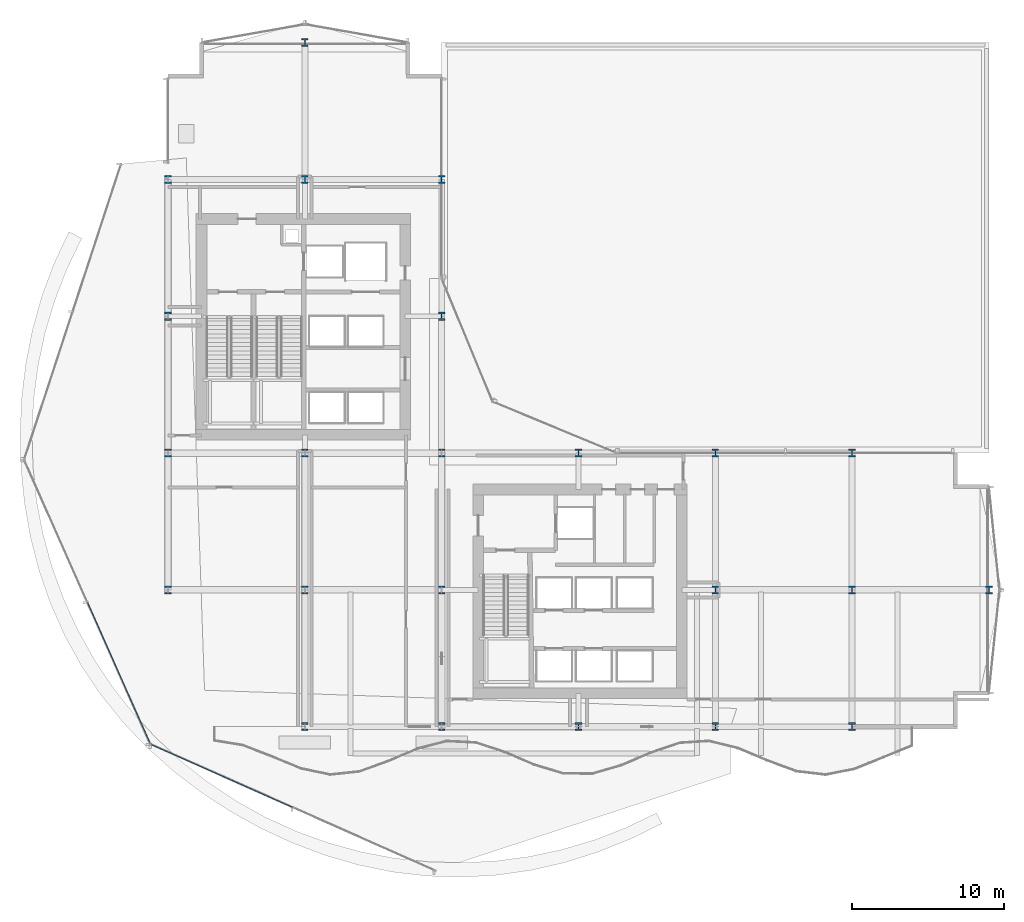
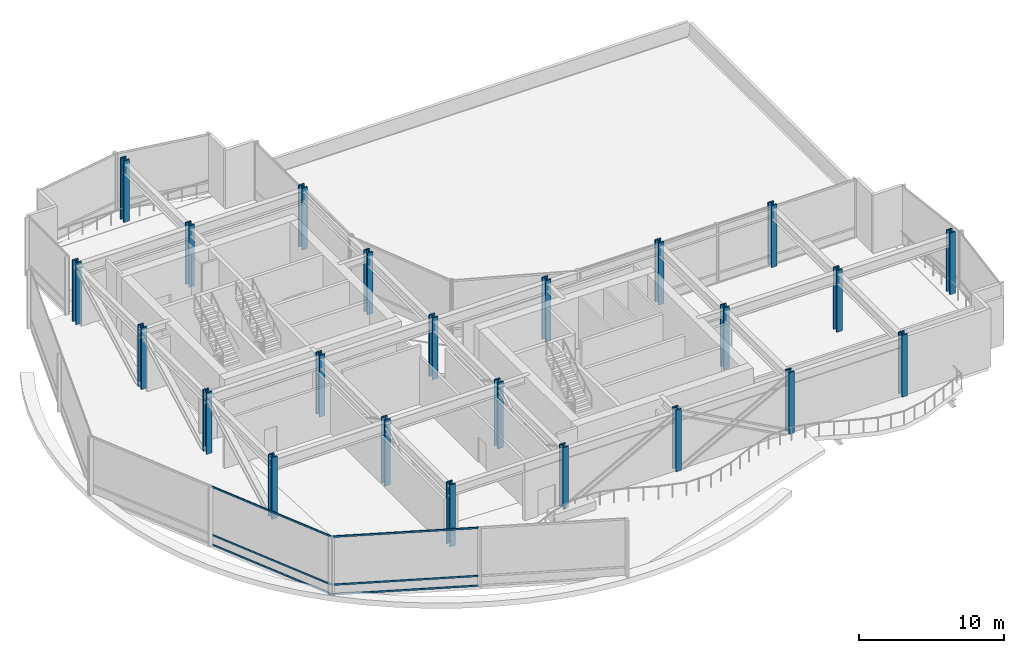
# One storey, part 1 of 37: 23 columns, 6 members, 2 elements without a shape of their own.
"""IFC4 building model written with IfcOpenShell, lengths in metres."""

from ifc_helpers import new_model, si_unit, direction, frame, origin, origin_2d, place, context, subcontext, project, spatial, hollow_rectangle, i_section, extrude, material, layer, layer_set, material_profile, profile_set, type_object, element, aggregate, save


model = new_model("IFC4")

# Units and contexts
model_context = context("Model", 3, precision=1e-05, world=origin(), true_north=direction((0.0, 1.0)))
body_context = subcontext(model_context, "Body", "Model", "MODEL_VIEW")
ifc_project = project(units=[si_unit("LENGTHUNIT", "METRE"), si_unit("AREAUNIT", "SQUARE_METRE"), si_unit("VOLUMEUNIT", "CUBIC_METRE"), si_unit("PLANEANGLEUNIT", "RADIAN"), si_unit("MASSUNIT", "GRAM", prefix="KILO")], contexts=[model_context])

# Site, building, storey
site_placement = place(None, origin())
site = spatial("IfcSite", under=ifc_project, at=site_placement, CompositionType="ELEMENT")
building_placement = place(site_placement, origin())
building = spatial("IfcBuilding", under=site, at=building_placement, Name="Solvaryn Broadcast Tower", CompositionType="ELEMENT")
storey_placement = place(building_placement, frame((0.0, 0.0, 30.800048828125)))
storey = spatial("IfcBuildingStorey", under=building, at=storey_placement, Name="L06", CompositionType="ELEMENT", Elevation=30.800048828125)

# Columns
ifc_material_1 = material(Name="Steel ASTM A913 Grade 65", Category="steel")
ifc_material_profile_1 = material_profile(ifc_material_1, i_section(OverallWidth=0.44189453125, OverallDepth=0.531005859375, WebThickness=0.06591796875, FlangeThickness=0.105712890625, FilletRadius=0.014892578125, at=origin_2d()))
ifc_profile_set_1 = profile_set([ifc_material_profile_1], Name="Steel ASTM A913 Grade 65")
column_type_1 = type_object("IfcColumnType", Name="COL-C02E-W14X605", PredefinedType="COLUMN", material=ifc_profile_set_1)
for number, where, z_axis, x_axis, name in (
    (1, (9.0, 18.0, 0.0), (0.0, 0.0, 1.0), (1.0, 0.0, 0.0), "L06 Column (9.0, 18.0)"),
    (2, (9.0, 27.0, 0.0), (0.0, 0.0, 1.0), (1.0, 0.0, 0.0), "L06 Column (9.0, 27.0)"),
    (3, (9.0, 36.0, 0.0), (0.0, 0.0, 1.0), (1.0, 0.0, 0.0), "L06 Column (9.0, 36.0)"),
    (4, (9.0, 45.0, 0.0), (0.0, 0.0, 1.0), (1.0, 0.0, 0.0), "L06 Column (9.0, 45.0)"),
    (5, (18.0, 9.0, 0.0), (0.0, 0.0, 1.0), (1.0, 0.0, 0.0), "L06 Column (18.0, 9.0)"),
    (6, (18.0, 54.0, 0.0), (0.0, 0.0, 1.0), (1.0, 0.0, 0.0), "L06 Column (18.0, 54.0)"),
    (7, (27.0, 9.0, 0.0), (0.0, 0.0, 1.0), (1.0, 0.0, 0.0), "L06 Column (27.0, 9.0)"),
    (8, (27.0, 36.0, 0.0), (0.0, 0.0, 1.0), (1.0, 0.0, 0.0), "L06 Column (27.0, 36.0)"),
    (9, (27.0, 45.0, 0.0), (0.0, 0.0, 1.0), (1.0, 0.0, 0.0), "L06 Column (27.0, 45.0)"),
    (10, (36.0, 9.0, 0.0), (0.0, 0.0, 1.0), (1.0, 0.0, 0.0), "L06 Column (36.0, 9.0)"),
    (11, (36.0, 27.0, 0.0), (0.0, 0.0, 1.0), (1.0, 0.0, 0.0), "L06 Column (36.0, 27.0)"),
    (12, (45.0, 9.0, 0.0), (0.0, 0.0, 1.0), (1.0, 0.0, 0.0), "L06 Column (45.0, 9.0)"),
    (13, (45.0, 27.0, 0.0), (0.0, 0.0, 1.0), (1.0, 0.0, 0.0), "L06 Column (45.0, 27.0)"),
    (14, (54.0, 9.0, 0.0), (0.0, 0.0, 1.0), (1.0, 0.0, 0.0), "L06 Column (54.0, 9.0)"),
    (15, (54.0, 27.0, 0.0), (0.0, 0.0, 1.0), (1.0, 0.0, 0.0), "L06 Column (54.0, 27.0)"),
    (16, (63.0, 18.0, 0.0), (0.0, 0.0, 1.0), (1.0, 0.0, 0.0), "L06 Column (63.0, 18.0)"),
):
    element("IfcColumn", number, at=place(storey_placement, frame(where, z_axis=z_axis, x_axis=x_axis)), inside=storey, type_object=column_type_1, Name=name, PredefinedType="COLUMN", context=body_context, shape_type="SweptSolid", body=[
        extrude(i_section(OverallWidth=0.44189453125, OverallDepth=0.531005859375, WebThickness=0.06591796875, FlangeThickness=0.105712890625, FilletRadius=0.014892578125, at=origin_2d()), origin(), (0.0, 0.0, 1.0), 5.199951171875),
    ])
ifc_material_2 = material(Name="Steel ASTM A913 Grade 65", Category="steel")
ifc_material_profile_2 = material_profile(ifc_material_2, i_section(OverallWidth=0.44189453125, OverallDepth=0.531005859375, WebThickness=0.06591796875, FlangeThickness=0.105712890625, FilletRadius=0.014892578125, at=origin_2d()))
ifc_profile_set_2 = profile_set([ifc_material_profile_2], Name="Steel ASTM A913 Grade 65")
column_type_2 = type_object("IfcColumnType", Name="COL-C02I-W14X605", PredefinedType="COLUMN", material=ifc_profile_set_2)
column_1_placement = place(storey_placement, frame((18.0, 18.0, -0.360107421875), z_axis=(0.0, 0.0, 1.0), x_axis=(1.0, 0.0, 0.0)))
element("IfcColumn", 17, at=column_1_placement, inside=storey, type_object=column_type_2, Name="L06 Column (18.0, 18.0)", PredefinedType="COLUMN", context=body_context, shape_type="SweptSolid", body=[
    extrude(i_section(OverallWidth=0.44189453125, OverallDepth=0.531005859375, WebThickness=0.06591796875, FlangeThickness=0.105712890625, FilletRadius=0.014892578125, at=origin_2d()), origin(), (0.0, 0.0, 1.0), 5.56005859375),
])
for number, where, z_axis, x_axis, name in (
    (18, (18.0, 27.0, 0.0), (0.0, 0.0, 1.0), (1.0, 0.0, 0.0), "L06 Column (18.0, 27.0)"),
    (19, (18.0, 45.0, 0.0), (0.0, 0.0, 1.0), (1.0, 0.0, 0.0), "L06 Column (18.0, 45.0)"),
):
    element("IfcColumn", number, at=place(storey_placement, frame(where, z_axis=z_axis, x_axis=x_axis)), inside=storey, type_object=column_type_2, Name=name, PredefinedType="COLUMN", context=body_context, shape_type="SweptSolid", body=[
        extrude(i_section(OverallWidth=0.44189453125, OverallDepth=0.531005859375, WebThickness=0.06591796875, FlangeThickness=0.105712890625, FilletRadius=0.014892578125, at=origin_2d()), origin(), (0.0, 0.0, 1.0), 5.199951171875),
    ])
column_2_placement = place(storey_placement, frame((27.0, 18.0, -0.360107421875), z_axis=(0.0, 0.0, 1.0), x_axis=(1.0, 0.0, 0.0)))
element("IfcColumn", 20, at=column_2_placement, inside=storey, type_object=column_type_2, Name="L06 Column (27.0, 18.0)", PredefinedType="COLUMN", context=body_context, shape_type="SweptSolid", body=[
    extrude(i_section(OverallWidth=0.44189453125, OverallDepth=0.531005859375, WebThickness=0.06591796875, FlangeThickness=0.105712890625, FilletRadius=0.014892578125, at=origin_2d()), origin(), (0.0, 0.0, 1.0), 5.56005859375),
])
for number, where, z_axis, x_axis, name in (
    (21, (27.0, 27.0, 0.0), (0.0, 0.0, 1.0), (1.0, 0.0, 0.0), "L06 Column (27.0, 27.0)"),
    (22, (45.0, 18.0, 0.0), (0.0, 0.0, 1.0), (1.0, 0.0, 0.0), "L06 Column (45.0, 18.0)"),
    (23, (54.0, 18.0, 0.0), (0.0, 0.0, 1.0), (1.0, 0.0, 0.0), "L06 Column (54.0, 18.0)"),
):
    element("IfcColumn", number, at=place(storey_placement, frame(where, z_axis=z_axis, x_axis=x_axis)), inside=storey, type_object=column_type_2, Name=name, PredefinedType="COLUMN", context=body_context, shape_type="SweptSolid", body=[
        extrude(i_section(OverallWidth=0.44189453125, OverallDepth=0.531005859375, WebThickness=0.06591796875, FlangeThickness=0.105712890625, FilletRadius=0.014892578125, at=origin_2d()), origin(), (0.0, 0.0, 1.0), 5.199951171875),
    ])

# Curtain wall, members
ifc_material_3 = material(Name="Aluminium and Terracotta Unitised Curtain Wall", Category="masonry")
ifc_layer = layer(ifc_material_3, 0.199951171875)
ifc_layer_set = layer_set([ifc_layer], Name="CW-SYS2-LOWMID")
curtain_wall_type = type_object("IfcCurtainWallType", Name="CW-SYS2-LOWMID", PredefinedType="NOTDEFINED", material=ifc_layer_set)
curtain_wall_1_placement = place(storey_placement, origin())
curtain_wall_1 = element("IfcCurtainWall", 24, at=curtain_wall_1_placement, inside=storey, type_object=curtain_wall_type, Name="L06 Curtain Wall DR2", PredefinedType="NOTDEFINED")
ifc_material_4 = material(Name="Anodised Aluminium 6063-T6", Category="aluminium")
ifc_material_profile_3 = material_profile(ifc_material_4, hollow_rectangle(XDim=0.06494140625, YDim=0.14990234375, WallThickness=0.00390625, InnerFilletRadius=0.00390625, OuterFilletRadius=0.008056640625, at=origin_2d()))
ifc_profile_set_3 = profile_set([ifc_material_profile_3], Name="Anodised Aluminium 6063-T6")
member_type = type_object("IfcMemberType", Name="CW-TRN-150", PredefinedType="USERDEFINED", material=ifc_profile_set_3)
member_1_placement = place(storey_placement, frame((3.70361328125, 17.176025390625, 0.030029296875), z_axis=(0.40591523062, -0.913910731719, 0.0), x_axis=(0.913910731719, 0.40591523062, 0.0)))
member_1 = element("IfcMember", 25, at=member_1_placement, type_object=member_type, Name="CWS2 transom 2.1", ObjectType="TRANSOM", PredefinedType="USERDEFINED", context=body_context, shape_type="SweptSolid", body=[
    extrude(hollow_rectangle(XDim=0.06494140625, YDim=0.14990234375, WallThickness=0.00390625, InnerFilletRadius=0.00390625, OuterFilletRadius=0.008056640625, at=origin_2d()), origin(), (0.0, 0.0, 1.0), 10.147705078125),
])
member_2_placement = place(storey_placement, frame((3.70361328125, 17.176025390625, 0.849853515625), z_axis=(0.40591523062, -0.913910731719, 0.0), x_axis=(0.913910731719, 0.40591523062, 0.0)))
member_2 = element("IfcMember", 26, at=member_2_placement, type_object=member_type, Name="CWS2 transom 2.2", ObjectType="TRANSOM", PredefinedType="USERDEFINED", context=body_context, shape_type="SweptSolid", body=[
    extrude(hollow_rectangle(XDim=0.06494140625, YDim=0.14990234375, WallThickness=0.00390625, InnerFilletRadius=0.00390625, OuterFilletRadius=0.008056640625, at=origin_2d()), origin(), (0.0, 0.0, 1.0), 10.147705078125),
])
member_3_placement = place(storey_placement, frame((3.70361328125, 17.176025390625, 4.889892578125), z_axis=(0.40591523062, -0.913910731719, 0.0), x_axis=(0.913910731719, 0.40591523062, 0.0)))
member_3 = element("IfcMember", 27, at=member_3_placement, type_object=member_type, Name="CWS2 transom 2.3", ObjectType="TRANSOM", PredefinedType="USERDEFINED", context=body_context, shape_type="SweptSolid", body=[
    extrude(hollow_rectangle(XDim=0.06494140625, YDim=0.14990234375, WallThickness=0.00390625, InnerFilletRadius=0.00390625, OuterFilletRadius=0.008056640625, at=origin_2d()), origin(), (0.0, 0.0, 1.0), 10.147705078125),
])
aggregate(curtain_wall_1, [member_1, member_2, member_3])

curtain_wall_2_placement = place(storey_placement, origin())
curtain_wall_2 = element("IfcCurtainWall", 28, at=curtain_wall_2_placement, inside=storey, type_object=curtain_wall_type, Name="L06 Curtain Wall DR3", PredefinedType="NOTDEFINED")
member_4_placement = place(storey_placement, frame((7.90185546875, 7.82275390625, 0.030029296875), z_axis=(0.913910731719, -0.40591523062, 0.0), x_axis=(0.40591523062, 0.913910731719, 0.0)))
member_4 = element("IfcMember", 29, at=member_4_placement, type_object=member_type, Name="CWS2 transom 1.1", ObjectType="TRANSOM", PredefinedType="USERDEFINED", context=body_context, shape_type="SweptSolid", body=[
    extrude(hollow_rectangle(XDim=0.06494140625, YDim=0.14990234375, WallThickness=0.00390625, InnerFilletRadius=0.00390625, OuterFilletRadius=0.008056640625, at=origin_2d()), origin(), (0.0, 0.0, 1.0), 10.147705078125),
])
member_5_placement = place(storey_placement, frame((7.90185546875, 7.82275390625, 0.849853515625), z_axis=(0.913910731719, -0.40591523062, 0.0), x_axis=(0.40591523062, 0.913910731719, 0.0)))
member_5 = element("IfcMember", 30, at=member_5_placement, type_object=member_type, Name="CWS2 transom 1.2", ObjectType="TRANSOM", PredefinedType="USERDEFINED", context=body_context, shape_type="SweptSolid", body=[
    extrude(hollow_rectangle(XDim=0.06494140625, YDim=0.14990234375, WallThickness=0.00390625, InnerFilletRadius=0.00390625, OuterFilletRadius=0.008056640625, at=origin_2d()), origin(), (0.0, 0.0, 1.0), 10.147705078125),
])
member_6_placement = place(storey_placement, frame((7.90185546875, 7.82275390625, 4.889892578125), z_axis=(0.913910731719, -0.40591523062, 0.0), x_axis=(0.40591523062, 0.913910731719, 0.0)))
member_6 = element("IfcMember", 31, at=member_6_placement, type_object=member_type, Name="CWS2 transom 1.3", ObjectType="TRANSOM", PredefinedType="USERDEFINED", context=body_context, shape_type="SweptSolid", body=[
    extrude(hollow_rectangle(XDim=0.06494140625, YDim=0.14990234375, WallThickness=0.00390625, InnerFilletRadius=0.00390625, OuterFilletRadius=0.008056640625, at=origin_2d()), origin(), (0.0, 0.0, 1.0), 10.147705078125),
])
aggregate(curtain_wall_2, [member_4, member_5, member_6])

save(model, "model.ifc")
